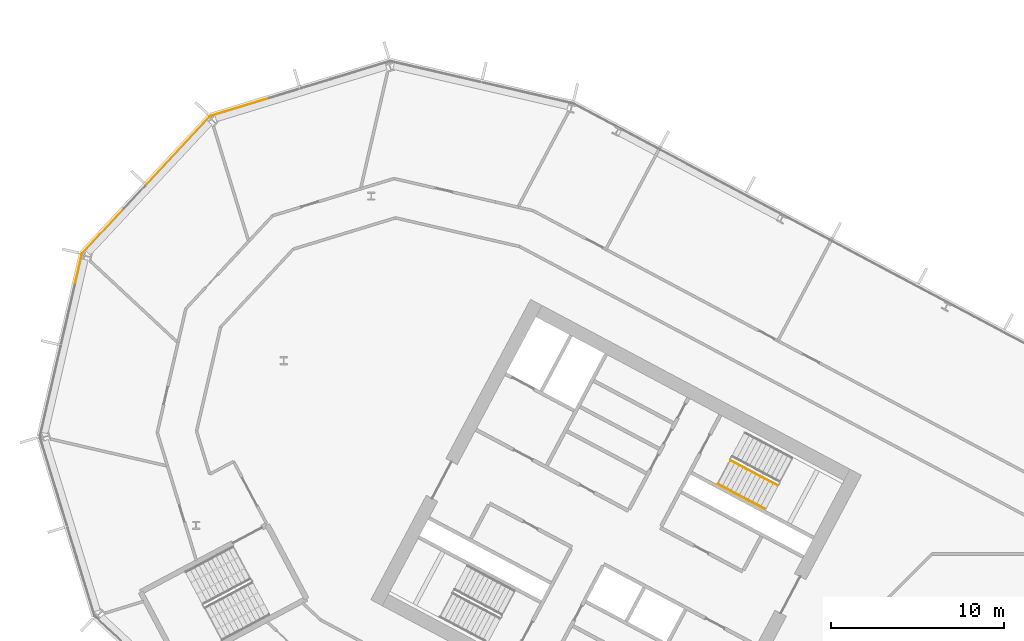
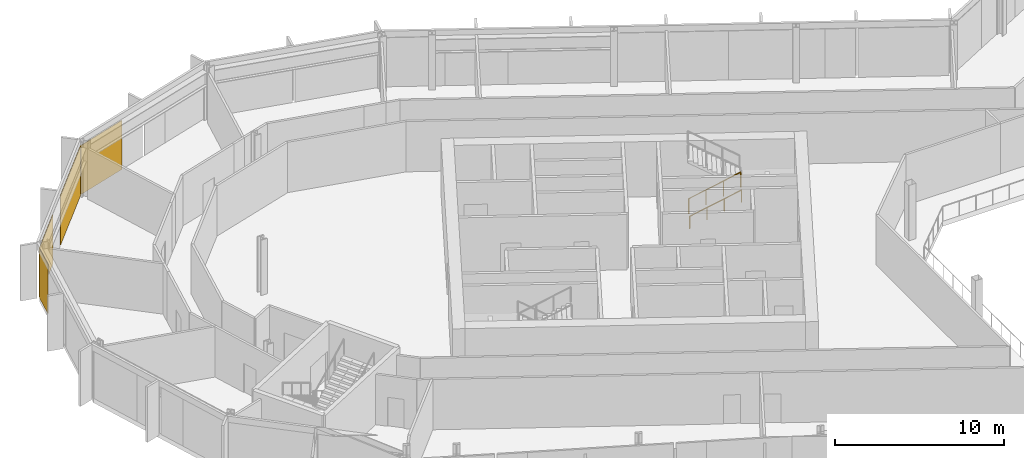
# One storey, part 22 of 28: 4 coverings, 2 railings, 3 elements without a shape of their own.
"""IFC4 building model written with IfcOpenShell, lengths in metres."""

from ifc_helpers import new_model, si_unit, direction, frame, origin, origin_2d, place, context, subcontext, project, spatial, polyline, rectangle, outline, extrude, material, layer, layer_set, type_object, element, aggregate, save


model = new_model("IFC4")

# Units and contexts
model_context = context("Model", 3, precision=1e-05, world=origin(), true_north=direction((0.0, 1.0)))
body_context = subcontext(model_context, "Body", "Model", "MODEL_VIEW")
ifc_project = project(units=[si_unit("LENGTHUNIT", "METRE"), si_unit("AREAUNIT", "SQUARE_METRE"), si_unit("VOLUMEUNIT", "CUBIC_METRE"), si_unit("PLANEANGLEUNIT", "RADIAN"), si_unit("MASSUNIT", "GRAM", prefix="KILO")], contexts=[model_context])

# Site, building, storey
site_placement = place(None, origin())
site = spatial("IfcSite", under=ifc_project, at=site_placement, CompositionType="ELEMENT")
building_placement = place(site_placement, origin())
building = spatial("IfcBuilding", under=site, at=building_placement, Name="Cormorant Relay Tower", CompositionType="ELEMENT")
storey_placement = place(building_placement, frame((0.0, 0.0, 162.199951171875)))
storey = spatial("IfcBuildingStorey", under=building, at=storey_placement, Name="L34", CompositionType="ELEMENT", Elevation=162.199951171875)

# Curtain wall, covering
ifc_material_1 = material(Name="Aluminium 6063-T6 anodised bronze", Category="aluminium")
ifc_layer_1 = layer(ifc_material_1, 0.199951171875)
ifc_layer_set_1 = layer_set([ifc_layer_1], Name="CW1 unitised bronze curtain wall with vertical fins")
curtain_wall_type = type_object("IfcCurtainWallType", Name="CW1 unitised bronze curtain wall with vertical fins", PredefinedType="NOTDEFINED", material=ifc_layer_set_1)
curtain_wall_1_placement = place(storey_placement, origin())
curtain_wall_1 = element("IfcCurtainWall", 1, at=curtain_wall_1_placement, inside=storey, type_object=curtain_wall_type, Name="CW1 curtain wall 11", PredefinedType="NOTDEFINED")
ifc_material_2 = material(Name="Pale bronze anodised aluminium insulated panel", Category="aluminium")
ifc_layer_2 = layer(ifc_material_2, 0.0400390625)
ifc_layer_set_2 = layer_set([ifc_layer_2], Name="CW1 pale bronze insulated panel 40")
covering_type = type_object("IfcCoveringType", Name="CW1 pale bronze insulated panel 40", PredefinedType="CLADDING", material=ifc_layer_set_2)
covering_1_placement = place(storey_placement, frame((-49.16455078125, 39.474853515625, 0.0), z_axis=(0.0, 0.0, 1.0), x_axis=(-0.956304755963, -0.292371704723, 0.0)))
covering_1 = element("IfcCovering", 2, at=covering_1_placement, type_object=covering_type, Name="CW1 panel S03", PredefinedType="CLADDING", context=body_context, shape_type="SweptSolid", body=[
    extrude(rectangle(XDim=3.560302734375, YDim=0.0400390625, at=origin_2d()), origin(), (0.0, 0.0, 1.0), 3.550048828125),
])
aggregate(curtain_wall_1, [covering_1])

# Curtain wall, coverings
curtain_wall_2_placement = place(storey_placement, origin())
curtain_wall_2 = element("IfcCurtainWall", 3, at=curtain_wall_2_placement, inside=storey, type_object=curtain_wall_type, Name="CW1 curtain wall 12", PredefinedType="NOTDEFINED")
covering_2_placement = place(storey_placement, frame((-52.72900390625, 36.961181640625, 0.0), z_axis=(0.0, 0.0, 1.0), x_axis=(-0.681998360062, -0.731353701619, 0.0)))
covering_2 = element("IfcCovering", 4, at=covering_2_placement, type_object=covering_type, Name="CW1 panel S00", PredefinedType="CLADDING", context=body_context, shape_type="SweptSolid", body=[
    extrude(rectangle(XDim=5.28515625, YDim=0.0400390625, at=origin_2d()), origin(), (0.0, 0.0, 1.0), 3.550048828125),
])
covering_3_placement = place(storey_placement, frame((-57.0751953125, 32.300537109375, 0.0), z_axis=(0.0, 0.0, 1.0), x_axis=(-0.681998360062, -0.731353701619, 0.0)))
covering_3 = element("IfcCovering", 5, at=covering_3_placement, type_object=covering_type, Name="CW1 panel S02", PredefinedType="CLADDING", context=body_context, shape_type="SweptSolid", body=[
    extrude(rectangle(XDim=3.560302734375, YDim=0.0400390625, at=origin_2d()), origin(), (0.0, 0.0, 1.0), 3.550048828125),
])
aggregate(curtain_wall_2, [covering_2, covering_3])

# Curtain wall, covering
curtain_wall_3_placement = place(storey_placement, origin())
curtain_wall_3 = element("IfcCurtainWall", 6, at=curtain_wall_3_placement, inside=storey, type_object=curtain_wall_type, Name="CW1 curtain wall 13", PredefinedType="NOTDEFINED")
covering_4_placement = place(storey_placement, frame((-58.50048828125, 30.095458984375, 0.0), z_axis=(0.0, 0.0, 1.0), x_axis=(-0.224951054344, -0.974370064785, 0.0)))
covering_4 = element("IfcCovering", 7, at=covering_4_placement, type_object=covering_type, Name="CW1 panel S00", PredefinedType="CLADDING", context=body_context, shape_type="SweptSolid", body=[
    extrude(rectangle(XDim=1.685302734375, YDim=0.0400390625, at=origin_2d()), origin(), (0.0, 0.0, 1.0), 3.550048828125),
])
aggregate(curtain_wall_3, [covering_4])

# Railings
ifc_material_3 = material(Name="Steel ASTM A572 Grade 50 (Fy 345 MPa)", Category="steel")
railing_type_1 = type_object("IfcRailingType", Name="Stair guard 1100", PredefinedType="GUARDRAIL", material=ifc_material_3)
railing_1_placement = place(storey_placement, frame((-20.75048828125, 19.017822265625, 0.166748046875)))
element("IfcRailing", 8, at=railing_1_placement, inside=storey, type_object=railing_type_1, Name="L34 A1 stair guard 1", PredefinedType="GUARDRAIL", context=body_context, shape_type="SweptSolid", body=[
    extrude(outline(polyline([(0.022216796875, 0.00927734375), (0.00927734375, 0.022216796875), (-0.00927734375, 0.022216796875), (-0.022216796875, 0.00927734375), (-0.022216796875, -0.00927734375), (-0.00927734375, -0.022216796875), (0.00927734375, -0.022216796875), (0.022216796875, -0.00927734375), (0.022216796875, 0.00927734375)])), frame((0.0, 0.0, 1.076171875), z_axis=(0.758734504837, -0.403377838015, 0.511476559549), x_axis=(0.469427602063, 0.882970965786, 0.0)), (0.0, 0.0, 1.0), 3.584228515625),
    extrude(outline(polyline([(0.019287109375, 0.008056640625), (0.008056640625, 0.019287109375), (-0.008056640625, 0.019287109375), (-0.019287109375, 0.008056640625), (-0.019287109375, -0.008056640625), (-0.008056640625, -0.019287109375), (0.008056640625, -0.019287109375), (0.019287109375, -0.008056640625), (0.019287109375, 0.008056640625)])), origin(), (0.0, 0.0, 1.0), 1.052001953125),
    extrude(outline(polyline([(0.019287109375, 0.008056640625), (0.008056640625, 0.019287109375), (-0.008056640625, 0.019287109375), (-0.019287109375, 0.008056640625), (-0.019287109375, -0.008056640625), (-0.008056640625, -0.019287109375), (0.008056640625, -0.019287109375), (0.019287109375, -0.008056640625), (0.019287109375, 0.008056640625)])), frame((0.906494140625, -0.48193359375, 0.611083984375)), (0.0, 0.0, 1.0), 1.052001953125),
    extrude(outline(polyline([(0.019287109375, 0.008056640625), (0.008056640625, 0.019287109375), (-0.008056640625, 0.019287109375), (-0.019287109375, 0.008056640625), (-0.019287109375, -0.008056640625), (-0.008056640625, -0.019287109375), (0.008056640625, -0.019287109375), (0.019287109375, -0.008056640625), (0.019287109375, 0.008056640625)])), frame((1.81298828125, -0.9638671875, 1.22216796875)), (0.0, 0.0, 1.0), 1.052001953125),
    extrude(outline(polyline([(0.019287109375, 0.008056640625), (0.008056640625, 0.019287109375), (-0.008056640625, 0.019287109375), (-0.019287109375, 0.008056640625), (-0.019287109375, -0.008056640625), (-0.008056640625, -0.019287109375), (0.008056640625, -0.019287109375), (0.019287109375, -0.008056640625), (0.019287109375, 0.008056640625)])), frame((2.719482421875, -1.44580078125, 1.833251953125)), (0.0, 0.0, 1.0), 1.052001953125),
])
ifc_material_4 = material(Name="Steel ASTM A572 Grade 50 (Fy 345 MPa)", Category="steel")
railing_type_2 = type_object("IfcRailingType", Name="Stair handrail 900", PredefinedType="HANDRAIL", material=ifc_material_4)
railing_2_placement = place(storey_placement, frame((-21.478271484375, 17.6494140625, 0.166748046875)))
element("IfcRailing", 9, at=railing_2_placement, inside=storey, type_object=railing_type_2, Name="L34 A1 stair handrail 1", PredefinedType="HANDRAIL", context=body_context, shape_type="SweptSolid", body=[
    extrude(outline(polyline([(0.022216796875, 0.00927734375), (0.00927734375, 0.022216796875), (-0.00927734375, 0.022216796875), (-0.022216796875, 0.00927734375), (-0.022216796875, -0.00927734375), (-0.00927734375, -0.022216796875), (0.00927734375, -0.022216796875), (0.022216796875, -0.00927734375), (0.022216796875, 0.00927734375)])), frame((0.0, 0.0, 0.8759765625), z_axis=(0.758713656843, -0.403434867536, 0.511462505542), x_axis=(0.469489399267, 0.882938108802, 0.0)), (0.0, 0.0, 1.0), 3.584228515625),
    extrude(outline(polyline([(0.019287109375, 0.008056640625), (0.008056640625, 0.019287109375), (-0.008056640625, 0.019287109375), (-0.019287109375, 0.008056640625), (-0.019287109375, -0.008056640625), (-0.008056640625, -0.019287109375), (0.008056640625, -0.019287109375), (0.019287109375, -0.008056640625), (0.019287109375, 0.008056640625)])), origin(), (0.0, 0.0, 1.0), 0.851806640625),
    extrude(outline(polyline([(0.019287109375, 0.008056640625), (0.008056640625, 0.019287109375), (-0.008056640625, 0.019287109375), (-0.019287109375, 0.008056640625), (-0.019287109375, -0.008056640625), (-0.008056640625, -0.019287109375), (0.008056640625, -0.019287109375), (0.019287109375, -0.008056640625), (0.019287109375, 0.008056640625)])), frame((0.906494140625, -0.48193359375, 0.611083984375)), (0.0, 0.0, 1.0), 0.851806640625),
    extrude(outline(polyline([(0.019287109375, 0.008056640625), (0.008056640625, 0.019287109375), (-0.008056640625, 0.019287109375), (-0.019287109375, 0.008056640625), (-0.019287109375, -0.008056640625), (-0.008056640625, -0.019287109375), (0.008056640625, -0.019287109375), (0.019287109375, -0.008056640625), (0.019287109375, 0.008056640625)])), frame((1.81298828125, -0.964111328125, 1.22216796875)), (0.0, 0.0, 1.0), 0.851806640625),
    extrude(outline(polyline([(0.019287109375, 0.008056640625), (0.008056640625, 0.019287109375), (-0.008056640625, 0.019287109375), (-0.019287109375, 0.008056640625), (-0.019287109375, -0.008056640625), (-0.008056640625, -0.019287109375), (0.008056640625, -0.019287109375), (0.019287109375, -0.008056640625), (0.019287109375, 0.008056640625)])), frame((2.719482421875, -1.446044921875, 1.833251953125)), (0.0, 0.0, 1.0), 0.851806640625),
])

save(model, "model.ifc")
